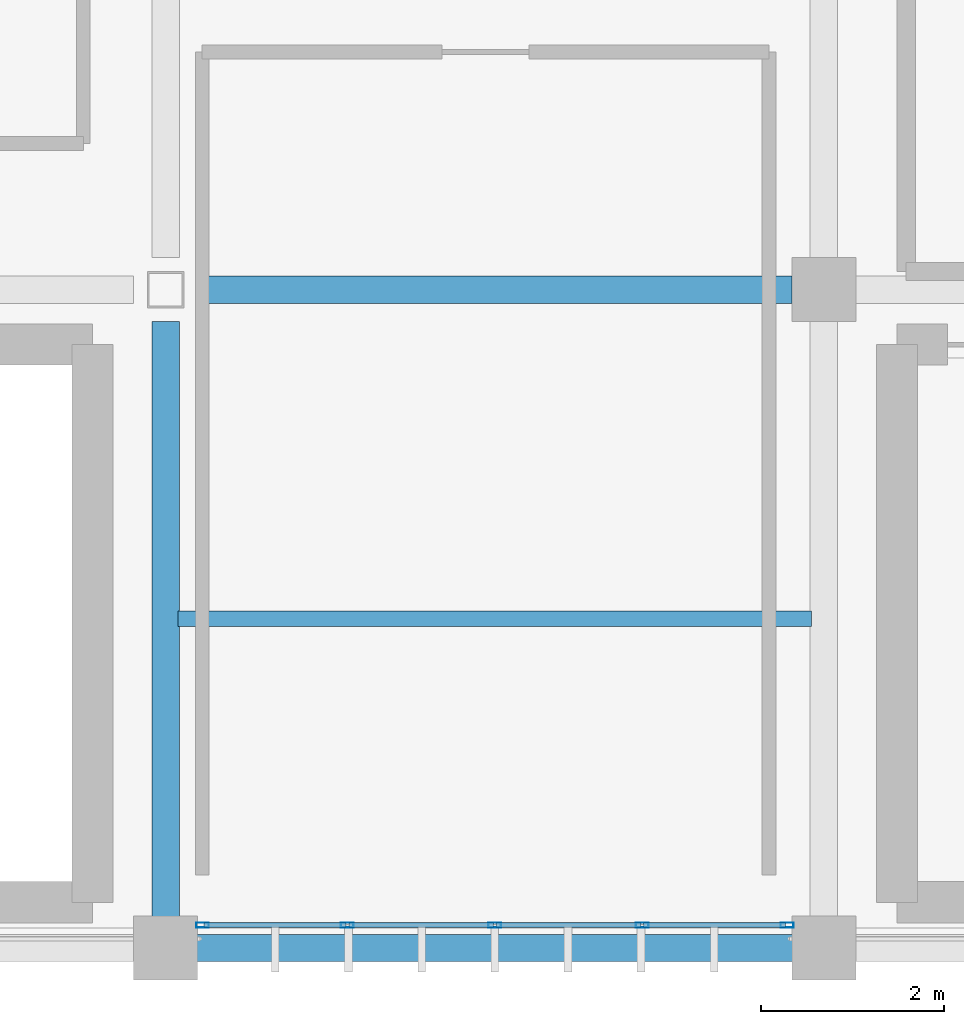
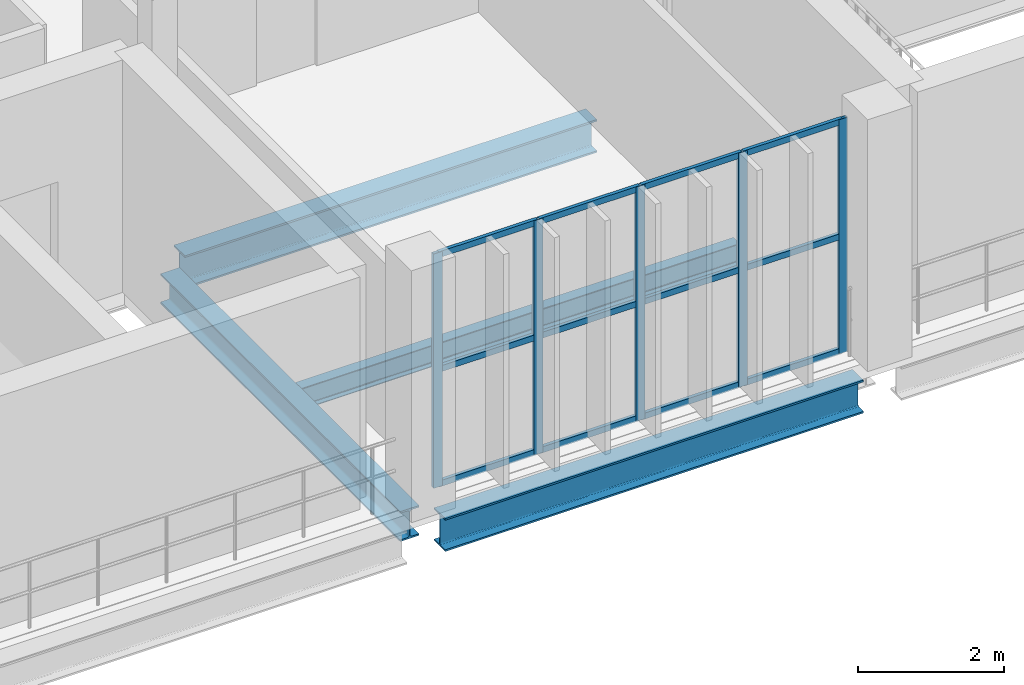
# One storey, part 34 of 130: 17 members, 4 beams, 1 element without a shape of its own.
"""IFC4 building model written with IfcOpenShell, lengths in metres."""

from ifc_helpers import new_model, si_unit, direction, frame, origin, origin_2d, place, context, subcontext, project, spatial, hollow_rectangle, i_section, extrude, material, material_profile, profile_set, type_object, element, aggregate, save


model = new_model("IFC4")

# Units and contexts
model_context = context("Model", 3, precision=1e-05, world=origin(), true_north=direction((0.0, 1.0)))
body_context = subcontext(model_context, "Body", "Model", "MODEL_VIEW")
ifc_project = project(units=[si_unit("LENGTHUNIT", "METRE"), si_unit("AREAUNIT", "SQUARE_METRE"), si_unit("VOLUMEUNIT", "CUBIC_METRE"), si_unit("PLANEANGLEUNIT", "RADIAN"), si_unit("MASSUNIT", "GRAM", prefix="KILO")], contexts=[model_context])

# Site, building, storey
site_placement = place(None, origin())
site = spatial("IfcSite", under=ifc_project, at=site_placement, CompositionType="ELEMENT")
building_placement = place(site_placement, origin())
building = spatial("IfcBuilding", under=site, at=building_placement, Name="Qandorah Velis Arena", CompositionType="ELEMENT")
storey_placement = place(building_placement, frame((0.0, 0.0, 9.60009765625)))
storey = spatial("IfcBuildingStorey", under=building, at=storey_placement, Name="L02", CompositionType="ELEMENT", Elevation=9.60009765625)

# Curtain wall, members
ifc_material_1 = material(Name="Solar-control low-E double glazing", Category="glass")
curtain_wall_type = type_object("IfcCurtainWallType", Name="ARC-CW-SYS16", PredefinedType="USERDEFINED", material=ifc_material_1)
curtain_wall_placement = place(storey_placement, origin())
curtain_wall = element("IfcCurtainWall", 1, at=curtain_wall_placement, inside=storey, type_object=curtain_wall_type, Name="Unitised curtain wall L02-064", ObjectType="UNITISED CURTAIN WALL", PredefinedType="USERDEFINED")
ifc_material_2 = material(Name="Champagne-bronze anodized aluminium 6063-T6", Category="aluminium")
ifc_material_profile_1 = material_profile(ifc_material_2, hollow_rectangle(XDim=0.054931640625, YDim=0.139892578125, WallThickness=0.0029296875, at=origin_2d()), Name="ALU MULLION 55x140")
ifc_profile_set_1 = profile_set([ifc_material_profile_1], Name="Champagne-bronze anodized aluminium 6063-T6")
member_type_1 = type_object("IfcMemberType", Name="ARC-CWM-140", PredefinedType="MULLION", material=ifc_profile_set_1)
member_1_placement = place(storey_placement, frame((65.202392578125, 0.25, -0.01513671875), z_axis=(0.0, 0.0, 1.0), x_axis=(0.0, 1.0, 0.0)))
member_1 = element("IfcMember", 2, at=member_1_placement, type_object=member_type_1, Name="CW16 mullion 1", PredefinedType="MULLION", context=body_context, shape_type="SweptSolid", body=[
    extrude(hollow_rectangle(XDim=0.054931640625, YDim=0.139892578125, WallThickness=0.0029296875, at=origin_2d()), origin(), (0.0, 0.0, 1.0), 3.91015625),
])
member_2_placement = place(storey_placement, frame((66.78759765625, 0.25, -0.01513671875), z_axis=(0.0, 0.0, 1.0), x_axis=(0.0, 1.0, 0.0)))
member_2 = element("IfcMember", 3, at=member_2_placement, type_object=member_type_1, Name="CW16 mullion 2", PredefinedType="MULLION", context=body_context, shape_type="SweptSolid", body=[
    extrude(hollow_rectangle(XDim=0.054931640625, YDim=0.139892578125, WallThickness=0.0029296875, at=origin_2d()), origin(), (0.0, 0.0, 1.0), 3.91015625),
])
member_3_placement = place(storey_placement, frame((68.39990234375, 0.25, -0.01513671875), z_axis=(0.0, 0.0, 1.0), x_axis=(0.0, 1.0, 0.0)))
member_3 = element("IfcMember", 4, at=member_3_placement, type_object=member_type_1, Name="CW16 mullion 3", PredefinedType="MULLION", context=body_context, shape_type="SweptSolid", body=[
    extrude(hollow_rectangle(XDim=0.054931640625, YDim=0.139892578125, WallThickness=0.0029296875, at=origin_2d()), origin(), (0.0, 0.0, 1.0), 3.91015625),
])
member_4_placement = place(storey_placement, frame((70.012451171875, 0.25, -0.01513671875), z_axis=(0.0, 0.0, 1.0), x_axis=(0.0, 1.0, 0.0)))
member_4 = element("IfcMember", 5, at=member_4_placement, type_object=member_type_1, Name="CW16 mullion 4", PredefinedType="MULLION", context=body_context, shape_type="SweptSolid", body=[
    extrude(hollow_rectangle(XDim=0.054931640625, YDim=0.139892578125, WallThickness=0.0029296875, at=origin_2d()), origin(), (0.0, 0.0, 1.0), 3.91015625),
])
member_5_placement = place(storey_placement, frame((71.597412109375, 0.25, -0.01513671875), z_axis=(0.0, 0.0, 1.0), x_axis=(0.0, 1.0, 0.0)))
member_5 = element("IfcMember", 6, at=member_5_placement, type_object=member_type_1, Name="CW16 mullion 5", PredefinedType="MULLION", context=body_context, shape_type="SweptSolid", body=[
    extrude(hollow_rectangle(XDim=0.054931640625, YDim=0.139892578125, WallThickness=0.0029296875, at=origin_2d()), origin(), (0.0, 0.0, 1.0), 3.91015625),
])
ifc_material_profile_2 = material_profile(ifc_material_2, hollow_rectangle(XDim=0.054931640625, YDim=0.10009765625, WallThickness=0.0029296875, at=origin_2d()), Name="ALU TRANSOM 55x100")
ifc_profile_set_2 = profile_set([ifc_material_profile_2], Name="Champagne-bronze anodized aluminium 6063-T6")
member_type_2 = type_object("IfcMemberType", Name="ARC-CWT-100", PredefinedType="USERDEFINED", material=ifc_profile_set_2)
member_6_placement = place(storey_placement, frame((65.218017578125, 0.25, 0.02734375), z_axis=(1.0, 0.0, 0.0), x_axis=(0.0, 1.0, 0.0)))
member_6 = element("IfcMember", 7, at=member_6_placement, type_object=member_type_2, Name="CW16 transom 1.1", ObjectType="TRANSOM", PredefinedType="USERDEFINED", context=body_context, shape_type="SweptSolid", body=[
    extrude(hollow_rectangle(XDim=0.054931640625, YDim=0.10009765625, WallThickness=0.0029296875, at=origin_2d()), origin(), (0.0, 0.0, 1.0), 1.553955078125),
])
member_7_placement = place(storey_placement, frame((65.218017578125, 0.25, 1.93994140625), z_axis=(1.0, 0.0, 0.0), x_axis=(0.0, 1.0, 0.0)))
member_7 = element("IfcMember", 8, at=member_7_placement, type_object=member_type_2, Name="CW16 transom 1.2", ObjectType="TRANSOM", PredefinedType="USERDEFINED", context=body_context, shape_type="SweptSolid", body=[
    extrude(hollow_rectangle(XDim=0.054931640625, YDim=0.10009765625, WallThickness=0.0029296875, at=origin_2d()), origin(), (0.0, 0.0, 1.0), 1.553955078125),
])
member_8_placement = place(storey_placement, frame((65.218017578125, 0.25, 3.852294921875), z_axis=(1.0, 0.0, 0.0), x_axis=(0.0, 1.0, 0.0)))
member_8 = element("IfcMember", 9, at=member_8_placement, type_object=member_type_2, Name="CW16 transom 1.3", ObjectType="TRANSOM", PredefinedType="USERDEFINED", context=body_context, shape_type="SweptSolid", body=[
    extrude(hollow_rectangle(XDim=0.054931640625, YDim=0.10009765625, WallThickness=0.0029296875, at=origin_2d()), origin(), (0.0, 0.0, 1.0), 1.553955078125),
])
member_9_placement = place(storey_placement, frame((66.802978515625, 0.25, 0.02734375), z_axis=(1.0, 0.0, 0.0), x_axis=(0.0, 1.0, 0.0)))
member_9 = element("IfcMember", 10, at=member_9_placement, type_object=member_type_2, Name="CW16 transom 2.1", ObjectType="TRANSOM", PredefinedType="USERDEFINED", context=body_context, shape_type="SweptSolid", body=[
    extrude(hollow_rectangle(XDim=0.054931640625, YDim=0.10009765625, WallThickness=0.0029296875, at=origin_2d()), origin(), (0.0, 0.0, 1.0), 1.58154296875),
])
member_10_placement = place(storey_placement, frame((66.802978515625, 0.25, 1.93994140625), z_axis=(1.0, 0.0, 0.0), x_axis=(0.0, 1.0, 0.0)))
member_10 = element("IfcMember", 11, at=member_10_placement, type_object=member_type_2, Name="CW16 transom 2.2", ObjectType="TRANSOM", PredefinedType="USERDEFINED", context=body_context, shape_type="SweptSolid", body=[
    extrude(hollow_rectangle(XDim=0.054931640625, YDim=0.10009765625, WallThickness=0.0029296875, at=origin_2d()), origin(), (0.0, 0.0, 1.0), 1.58154296875),
])
member_11_placement = place(storey_placement, frame((66.802978515625, 0.25, 3.852294921875), z_axis=(1.0, 0.0, 0.0), x_axis=(0.0, 1.0, 0.0)))
member_11 = element("IfcMember", 12, at=member_11_placement, type_object=member_type_2, Name="CW16 transom 2.3", ObjectType="TRANSOM", PredefinedType="USERDEFINED", context=body_context, shape_type="SweptSolid", body=[
    extrude(hollow_rectangle(XDim=0.054931640625, YDim=0.10009765625, WallThickness=0.0029296875, at=origin_2d()), origin(), (0.0, 0.0, 1.0), 1.58154296875),
])
member_12_placement = place(storey_placement, frame((68.41552734375, 0.25, 0.02734375), z_axis=(1.0, 0.0, 0.0), x_axis=(0.0, 1.0, 0.0)))
member_12 = element("IfcMember", 13, at=member_12_placement, type_object=member_type_2, Name="CW16 transom 3.1", ObjectType="TRANSOM", PredefinedType="USERDEFINED", context=body_context, shape_type="SweptSolid", body=[
    extrude(hollow_rectangle(XDim=0.054931640625, YDim=0.10009765625, WallThickness=0.0029296875, at=origin_2d()), origin(), (0.0, 0.0, 1.0), 1.58154296875),
])
member_13_placement = place(storey_placement, frame((68.41552734375, 0.25, 1.93994140625), z_axis=(1.0, 0.0, 0.0), x_axis=(0.0, 1.0, 0.0)))
member_13 = element("IfcMember", 14, at=member_13_placement, type_object=member_type_2, Name="CW16 transom 3.2", ObjectType="TRANSOM", PredefinedType="USERDEFINED", context=body_context, shape_type="SweptSolid", body=[
    extrude(hollow_rectangle(XDim=0.054931640625, YDim=0.10009765625, WallThickness=0.0029296875, at=origin_2d()), origin(), (0.0, 0.0, 1.0), 1.58154296875),
])
member_14_placement = place(storey_placement, frame((68.41552734375, 0.25, 3.852294921875), z_axis=(1.0, 0.0, 0.0), x_axis=(0.0, 1.0, 0.0)))
member_14 = element("IfcMember", 15, at=member_14_placement, type_object=member_type_2, Name="CW16 transom 3.3", ObjectType="TRANSOM", PredefinedType="USERDEFINED", context=body_context, shape_type="SweptSolid", body=[
    extrude(hollow_rectangle(XDim=0.054931640625, YDim=0.10009765625, WallThickness=0.0029296875, at=origin_2d()), origin(), (0.0, 0.0, 1.0), 1.58154296875),
])
member_15_placement = place(storey_placement, frame((70.028076171875, 0.25, 0.02734375), z_axis=(1.0, 0.0, 0.0), x_axis=(0.0, 1.0, 0.0)))
member_15 = element("IfcMember", 16, at=member_15_placement, type_object=member_type_2, Name="CW16 transom 4.1", ObjectType="TRANSOM", PredefinedType="USERDEFINED", context=body_context, shape_type="SweptSolid", body=[
    extrude(hollow_rectangle(XDim=0.054931640625, YDim=0.10009765625, WallThickness=0.0029296875, at=origin_2d()), origin(), (0.0, 0.0, 1.0), 1.553955078125),
])
member_16_placement = place(storey_placement, frame((70.028076171875, 0.25, 1.93994140625), z_axis=(1.0, 0.0, 0.0), x_axis=(0.0, 1.0, 0.0)))
member_16 = element("IfcMember", 17, at=member_16_placement, type_object=member_type_2, Name="CW16 transom 4.2", ObjectType="TRANSOM", PredefinedType="USERDEFINED", context=body_context, shape_type="SweptSolid", body=[
    extrude(hollow_rectangle(XDim=0.054931640625, YDim=0.10009765625, WallThickness=0.0029296875, at=origin_2d()), origin(), (0.0, 0.0, 1.0), 1.553955078125),
])
member_17_placement = place(storey_placement, frame((70.028076171875, 0.25, 3.852294921875), z_axis=(1.0, 0.0, 0.0), x_axis=(0.0, 1.0, 0.0)))
member_17 = element("IfcMember", 18, at=member_17_placement, type_object=member_type_2, Name="CW16 transom 4.3", ObjectType="TRANSOM", PredefinedType="USERDEFINED", context=body_context, shape_type="SweptSolid", body=[
    extrude(hollow_rectangle(XDim=0.054931640625, YDim=0.10009765625, WallThickness=0.0029296875, at=origin_2d()), origin(), (0.0, 0.0, 1.0), 1.553955078125),
])
aggregate(curtain_wall, [member_1, member_2, member_3, member_4, member_5, member_6, member_7, member_8, member_9, member_10, member_11, member_12, member_13, member_14, member_15, member_16, member_17])

# Beams
ifc_material_3 = material(Name="Steel S355", Category="steel")
ifc_material_profile_3 = material_profile(ifc_material_3, i_section(OverallWidth=0.300048828125, OverallDepth=0.5, WebThickness=0.014404296875, FlangeThickness=0.028076171875, FilletRadius=0.027099609375, at=origin_2d()), Name="HEB 500")
ifc_profile_set_3 = profile_set([ifc_material_profile_3], Name="Steel S355")
beam_type_1 = type_object("IfcBeamType", Name="STR-BM-HEB500", PredefinedType="BEAM", material=ifc_profile_set_3)
beam_1_placement = place(storey_placement, frame((64.800048828125, 0.300048828125, -0.530029296875), z_axis=(0.0, 1.0, 0.0), x_axis=(-1.0, 0.0, 0.0)))
element("IfcBeam", 19, at=beam_1_placement, inside=storey, type_object=beam_type_1, Name="Primary floor girder L02 Y-260", PredefinedType="BEAM", context=body_context, shape_type="SweptSolid", body=[
    extrude(i_section(OverallWidth=0.300048828125, OverallDepth=0.5, WebThickness=0.014404296875, FlangeThickness=0.028076171875, FilletRadius=0.027099609375, at=origin_2d()), origin(), (0.0, 0.0, 1.0), 6.550048828125),
])
ifc_material_profile_4 = material_profile(ifc_material_3, i_section(OverallWidth=0.300048828125, OverallDepth=0.550048828125, WebThickness=0.014892578125, FlangeThickness=0.029052734375, FilletRadius=0.027099609375, at=origin_2d()), Name="HEB 550")
ifc_profile_set_4 = profile_set([ifc_material_profile_4], Name="Steel S355")
beam_type_2 = type_object("IfcBeamType", Name="STR-BM-HEB550", PredefinedType="BEAM", material=ifc_profile_set_4)
beam_2_placement = place(storey_placement, frame((65.10009765625, 0.0, -0.55517578125), z_axis=(1.0, 0.0, 0.0), x_axis=(0.0, 1.0, 0.0)))
element("IfcBeam", 20, at=beam_2_placement, inside=storey, type_object=beam_type_2, Name="Primary floor girder L02 X-006", PredefinedType="BEAM", context=body_context, shape_type="SweptSolid", body=[
    extrude(i_section(OverallWidth=0.300048828125, OverallDepth=0.550048828125, WebThickness=0.014892578125, FlangeThickness=0.029052734375, FilletRadius=0.027099609375, at=origin_2d()), origin(), (0.0, 0.0, 1.0), 6.599853515625),
])
beam_3_placement = place(storey_placement, frame((65.14990234375, 7.199951171875, -0.55517578125), z_axis=(1.0, 0.0, 0.0), x_axis=(0.0, 1.0, 0.0)))
element("IfcBeam", 21, at=beam_3_placement, inside=storey, type_object=beam_type_2, Name="Primary floor girder L02 X-018", PredefinedType="BEAM", context=body_context, shape_type="SweptSolid", body=[
    extrude(i_section(OverallWidth=0.300048828125, OverallDepth=0.550048828125, WebThickness=0.014892578125, FlangeThickness=0.029052734375, FilletRadius=0.027099609375, at=origin_2d()), origin(), (0.0, 0.0, 1.0), 6.5),
])
ifc_material_profile_5 = material_profile(ifc_material_3, i_section(OverallWidth=0.169921875, OverallDepth=0.360107421875, WebThickness=0.008056640625, FlangeThickness=0.0126953125, FilletRadius=0.01806640625, at=origin_2d()), Name="IPE 360")
ifc_profile_set_5 = profile_set([ifc_material_profile_5], Name="Steel S355")
beam_type_3 = type_object("IfcBeamType", Name="STR-JST-IPE360", PredefinedType="JOIST", material=ifc_profile_set_5)
beam_4_placement = place(storey_placement, frame((64.93505859375, 3.60009765625, -0.460205078125), z_axis=(1.0, 0.0, 0.0), x_axis=(0.0, 1.0, 0.0)))
element("IfcBeam", 22, at=beam_4_placement, inside=storey, type_object=beam_type_3, Name="Secondary floor joist L02-051", PredefinedType="JOIST", context=body_context, shape_type="SweptSolid", body=[
    extrude(i_section(OverallWidth=0.169921875, OverallDepth=0.360107421875, WebThickness=0.008056640625, FlangeThickness=0.0126953125, FilletRadius=0.01806640625, at=origin_2d()), origin(), (0.0, 0.0, 1.0), 6.929931640625),
])

save(model, "model.ifc")
